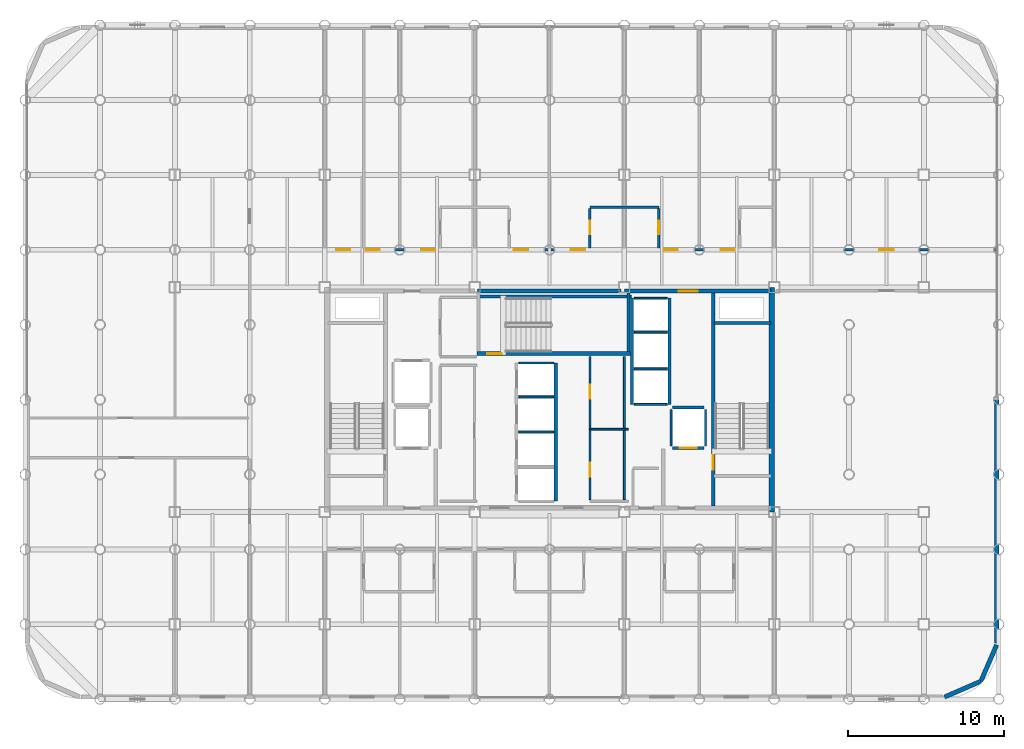
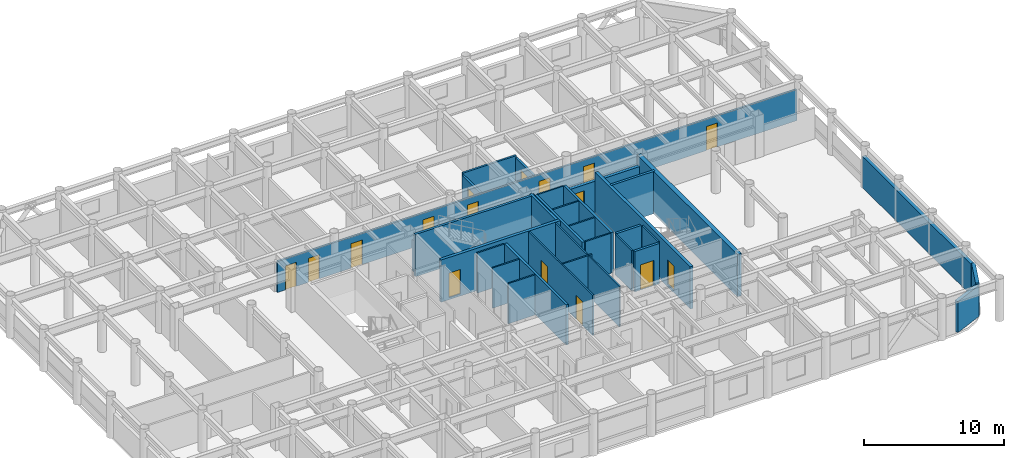
# One storey, part 18 of 20: 32 walls, 16 doors, 16 openings.
"""IFC4 building model written with IfcOpenShell, lengths in metres."""

from ifc_helpers import new_model, si_unit, direction, frame, frame_2d, origin, place, context, subcontext, project, spatial, rectangle, extrude, material, layer, layer_set, type_object, element, fill, save


model = new_model("IFC4")

# Units and contexts
model_context = context("Model", 3, precision=1e-05, world=origin(), true_north=direction((0.0, 1.0)))
body_context = subcontext(model_context, "Body", "Model", "MODEL_VIEW")
ifc_project = project(units=[si_unit("LENGTHUNIT", "METRE"), si_unit("AREAUNIT", "SQUARE_METRE"), si_unit("VOLUMEUNIT", "CUBIC_METRE"), si_unit("PLANEANGLEUNIT", "RADIAN"), si_unit("MASSUNIT", "GRAM", prefix="KILO")], contexts=[model_context])

# Site, building, storey
site_placement = place(None, origin())
site = spatial("IfcSite", under=ifc_project, at=site_placement, CompositionType="ELEMENT")
building_placement = place(site_placement, origin())
building = spatial("IfcBuilding", under=site, at=building_placement, Name="Kallvorn Hotel Tower", CompositionType="ELEMENT")
storey_placement = place(building_placement, frame((0.0, 0.0, 132.199951171875)))
storey = spatial("IfcBuildingStorey", under=building, at=storey_placement, Name="L32", CompositionType="ELEMENT", Elevation=132.199951171875)

# Wall
ifc_material_1 = material(Name="Concrete C50/60", Category="concrete")
ifc_layer_1 = layer(ifc_material_1, 0.35009765625)
ifc_layer_set_1 = layer_set([ifc_layer_1], Name="WL_CORE_350")
wall_type_1 = type_object("IfcWallType", Name="WL_CORE_350", PredefinedType="SHEAR", material=ifc_layer_set_1)
wall_1_placement = place(storey_placement, frame((14.239990234375, -7.199951171875, -0.179931640625), z_axis=(0.0, 0.0, 1.0), x_axis=(0.0, 1.0, 0.0)))
element("IfcWall", 1, at=wall_1_placement, inside=storey, type_object=wall_type_1, Name="L32 Core East Shear Wall", PredefinedType="SHEAR", context=body_context, shape_type="SweptSolid", body=[
    extrude(rectangle(XDim=14.39990234375, YDim=0.35009765625, at=frame_2d((7.199951171875, 0.0))), origin(), (0.0, 0.0, 1.0), 3.699951171875),
])

# Wall, openings, doors
ifc_material_2 = material(Name="Fire-rated double-layer acoustic gypsum drywall EI 60")
ifc_layer_2 = layer(ifc_material_2, 0.159912109375)
ifc_layer_set_2 = layer_set([ifc_layer_2], Name="WL_DEMISE_160")
wall_type_2 = type_object("IfcWallType", Name="WL_DEMISE_160", PredefinedType="PARTITIONING", material=ifc_layer_set_2)
wall_2_placement = place(storey_placement, frame((-14.320068359375, 9.60009765625, 0.0), z_axis=(0.0, 0.0, 1.0), x_axis=(1.0, 0.0, 0.0)))
wall_2 = element("IfcWall", 2, at=wall_2_placement, inside=storey, type_object=wall_type_2, Name="L32 Suite 3207 Standard Twin Room Partition", PredefinedType="PARTITIONING", context=body_context, shape_type="SweptSolid", body=[
    extrude(rectangle(XDim=42.949951171875, YDim=0.159912109375, at=frame_2d((21.47509765625, 0.0))), origin(), (0.0, 0.0, 1.0), 2.719970703125),
])
opening_1_placement = place(wall_2_placement, frame((35.469970703125, 0.0, 0.0)))
opening_1 = element("IfcOpeningElement", 3, at=opening_1_placement, cuts=wall_2, Name="Opening SVD1", PredefinedType="OPENING", context=body_context, shape_type="SweptSolid", body=[
    extrude(rectangle(XDim=0.89990234375, YDim=2.10009765625, at=frame_2d((0.449951171875, 1.050048828125))), frame((0.0, 0.094970703125, 0.0), z_axis=(0.0, -1.0, 0.0), x_axis=(1.0, 0.0, 0.0)), (0.0, 0.0, 1.0), 0.18994140625),
])
opening_2_placement = place(wall_2_placement, frame((0.669921875, 0.0, 0.0)))
opening_2 = element("IfcOpeningElement", 4, at=opening_2_placement, cuts=wall_2, Name="Opening SVD1", PredefinedType="OPENING", context=body_context, shape_type="SweptSolid", body=[
    extrude(rectangle(XDim=0.89990234375, YDim=2.10009765625, at=frame_2d((0.449951171875, 1.050048828125))), frame((0.0, 0.094970703125, 0.0), z_axis=(0.0, -1.0, 0.0), x_axis=(1.0, 0.0, 0.0)), (0.0, 0.0, 1.0), 0.18994140625),
])
opening_3_placement = place(wall_2_placement, frame((2.56005859375, 0.0, 0.0)))
opening_3 = element("IfcOpeningElement", 5, at=opening_3_placement, cuts=wall_2, Name="Opening SVD1", PredefinedType="OPENING", context=body_context, shape_type="SweptSolid", body=[
    extrude(rectangle(XDim=0.89990234375, YDim=2.10009765625, at=frame_2d((0.449951171875, 1.050048828125))), frame((0.0, 0.094970703125, 0.0), z_axis=(0.0, -1.0, 0.0), x_axis=(1.0, 0.0, 0.0)), (0.0, 0.0, 1.0), 0.18994140625),
])
opening_4_placement = place(wall_2_placement, frame((6.090087890625, 0.0, 0.0)))
opening_4 = element("IfcOpeningElement", 6, at=opening_4_placement, cuts=wall_2, Name="Opening GD1", PredefinedType="OPENING", context=body_context, shape_type="SweptSolid", body=[
    extrude(rectangle(XDim=0.919921875, YDim=2.14990234375, at=frame_2d((0.4599609375, 1.074951171875))), frame((0.0, 0.094970703125, 0.0), z_axis=(0.0, -1.0, 0.0), x_axis=(1.0, 0.0, 0.0)), (0.0, 0.0, 1.0), 0.18994140625),
])
opening_5_placement = place(wall_2_placement, frame((12.030029296875, 0.0, 0.0)))
opening_5 = element("IfcOpeningElement", 7, at=opening_5_placement, cuts=wall_2, Name="Opening GD1", PredefinedType="OPENING", context=body_context, shape_type="SweptSolid", body=[
    extrude(rectangle(XDim=0.919921875, YDim=2.14990234375, at=frame_2d((0.4599609375, 1.074951171875))), frame((0.0, 0.094970703125, 0.0), z_axis=(0.0, -1.0, 0.0), x_axis=(1.0, 0.0, 0.0)), (0.0, 0.0, 1.0), 0.18994140625),
])
opening_6_placement = place(wall_2_placement, frame((15.68994140625, 0.0, 0.0)))
opening_6 = element("IfcOpeningElement", 8, at=opening_6_placement, cuts=wall_2, Name="Opening GD1", PredefinedType="OPENING", context=body_context, shape_type="SweptSolid", body=[
    extrude(rectangle(XDim=0.919921875, YDim=2.14990234375, at=frame_2d((0.4599609375, 1.074951171875))), frame((0.0, 0.094970703125, 0.0), z_axis=(0.0, -1.0, 0.0), x_axis=(1.0, 0.0, 0.0)), (0.0, 0.0, 1.0), 0.18994140625),
])
opening_7_placement = place(wall_2_placement, frame((21.6298828125, 0.0, 0.0)))
opening_7 = element("IfcOpeningElement", 9, at=opening_7_placement, cuts=wall_2, Name="Opening GD1", PredefinedType="OPENING", context=body_context, shape_type="SweptSolid", body=[
    extrude(rectangle(XDim=0.919921875, YDim=2.14990234375, at=frame_2d((0.4599609375, 1.074951171875))), frame((0.0, 0.094970703125, 0.0), z_axis=(0.0, -1.0, 0.0), x_axis=(1.0, 0.0, 0.0)), (0.0, 0.0, 1.0), 0.18994140625),
])
opening_8_placement = place(wall_2_placement, frame((25.2900390625, 0.0, 0.0)))
opening_8 = element("IfcOpeningElement", 10, at=opening_8_placement, cuts=wall_2, Name="Opening GD1", PredefinedType="OPENING", context=body_context, shape_type="SweptSolid", body=[
    extrude(rectangle(XDim=0.919921875, YDim=2.14990234375, at=frame_2d((0.4599609375, 1.074951171875))), frame((0.0, 0.094970703125, 0.0), z_axis=(0.0, -1.0, 0.0), x_axis=(1.0, 0.0, 0.0)), (0.0, 0.0, 1.0), 0.18994140625),
])
ifc_material_3 = material(Name="Solid-core walnut veneer fire-rated timber door leaf", Category="wood")
door_type_1 = type_object("IfcDoorType", Name="DR_GUEST_920x2150", OperationType="NOTDEFINED", PredefinedType="DOOR", material=ifc_material_3)
door_1_placement = place(opening_4_placement, origin())
door_1 = element("IfcDoor", 11, at=door_1_placement, inside=storey, type_object=door_type_1, Name="L32 Suite 3207 Standard Twin Room Door", OperationType="SINGLE_SWING_RIGHT", OverallHeight=2.14990234375, OverallWidth=0.919921875, PredefinedType="DOOR", context=body_context, shape_type="SweptSolid", body=[
    extrude(rectangle(XDim=0.919921875, YDim=2.14990234375, at=frame_2d((0.4599609375, 1.074951171875))), frame((0.0, 0.02490234375, 0.0), z_axis=(0.0, -1.0, 0.0), x_axis=(1.0, 0.0, 0.0)), (0.0, 0.0, 1.0), 0.050048828125),
])
fill(opening_4, door_1)
door_2_placement = place(opening_5_placement, origin())
door_2 = element("IfcDoor", 12, at=door_2_placement, inside=storey, type_object=door_type_1, Name="L32 Suite 3208 Standard Twin Room Door", OperationType="SINGLE_SWING_LEFT", OverallHeight=2.14990234375, OverallWidth=0.919921875, PredefinedType="DOOR", context=body_context, shape_type="SweptSolid", body=[
    extrude(rectangle(XDim=0.919921875, YDim=2.14990234375, at=frame_2d((0.4599609375, 1.074951171875))), frame((0.0, 0.02490234375, 0.0), z_axis=(0.0, -1.0, 0.0), x_axis=(1.0, 0.0, 0.0)), (0.0, 0.0, 1.0), 0.050048828125),
])
fill(opening_5, door_2)
door_3_placement = place(opening_6_placement, origin())
door_3 = element("IfcDoor", 13, at=door_3_placement, inside=storey, type_object=door_type_1, Name="L32 Suite 3209 Standard Twin Room Door", OperationType="SINGLE_SWING_RIGHT", OverallHeight=2.14990234375, OverallWidth=0.919921875, PredefinedType="DOOR", context=body_context, shape_type="SweptSolid", body=[
    extrude(rectangle(XDim=0.919921875, YDim=2.14990234375, at=frame_2d((0.4599609375, 1.074951171875))), frame((0.0, 0.02490234375, 0.0), z_axis=(0.0, -1.0, 0.0), x_axis=(1.0, 0.0, 0.0)), (0.0, 0.0, 1.0), 0.050048828125),
])
fill(opening_6, door_3)
door_4_placement = place(opening_7_placement, origin())
door_4 = element("IfcDoor", 14, at=door_4_placement, inside=storey, type_object=door_type_1, Name="L32 Suite 3210 Standard Twin Room Door", OperationType="SINGLE_SWING_LEFT", OverallHeight=2.14990234375, OverallWidth=0.919921875, PredefinedType="DOOR", context=body_context, shape_type="SweptSolid", body=[
    extrude(rectangle(XDim=0.919921875, YDim=2.14990234375, at=frame_2d((0.4599609375, 1.074951171875))), frame((0.0, 0.02490234375, 0.0), z_axis=(0.0, -1.0, 0.0), x_axis=(1.0, 0.0, 0.0)), (0.0, 0.0, 1.0), 0.050048828125),
])
fill(opening_7, door_4)
door_5_placement = place(opening_8_placement, origin())
door_5 = element("IfcDoor", 15, at=door_5_placement, inside=storey, type_object=door_type_1, Name="L32 Suite 3211 Standard Twin Room Door", OperationType="SINGLE_SWING_RIGHT", OverallHeight=2.14990234375, OverallWidth=0.919921875, PredefinedType="DOOR", context=body_context, shape_type="SweptSolid", body=[
    extrude(rectangle(XDim=0.919921875, YDim=2.14990234375, at=frame_2d((0.4599609375, 1.074951171875))), frame((0.0, 0.02490234375, 0.0), z_axis=(0.0, -1.0, 0.0), x_axis=(1.0, 0.0, 0.0)), (0.0, 0.0, 1.0), 0.050048828125),
])
fill(opening_8, door_5)
ifc_material_4 = material(Name="Galvanised painted steel fire-rated door assembly", Category="steel")
door_type_2 = type_object("IfcDoorType", Name="DR_SERV_900x2100", OperationType="NOTDEFINED", PredefinedType="DOOR", material=ifc_material_4)
door_6_placement = place(opening_1_placement, origin())
door_6 = element("IfcDoor", 16, at=door_6_placement, inside=storey, type_object=door_type_2, Name="L32 L32 North-East Monserrate Banquet Hall Door", OperationType="SINGLE_SWING_RIGHT", OverallHeight=2.10009765625, OverallWidth=0.89990234375, PredefinedType="DOOR", context=body_context, shape_type="SweptSolid", body=[
    extrude(rectangle(XDim=0.89990234375, YDim=2.10009765625, at=frame_2d((0.449951171875, 1.050048828125))), frame((0.0, 0.02490234375, 0.0), z_axis=(0.0, -1.0, 0.0), x_axis=(1.0, 0.0, 0.0)), (0.0, 0.0, 1.0), 0.050048828125),
])
fill(opening_1, door_6)
door_7_placement = place(opening_2_placement, origin())
door_7 = element("IfcDoor", 17, at=door_7_placement, inside=storey, type_object=door_type_2, Name="L32 Housekeeping and Linen Room Door", OperationType="SINGLE_SWING_LEFT", OverallHeight=2.10009765625, OverallWidth=0.89990234375, PredefinedType="DOOR", context=body_context, shape_type="SweptSolid", body=[
    extrude(rectangle(XDim=0.89990234375, YDim=2.10009765625, at=frame_2d((0.449951171875, 1.050048828125))), frame((0.0, 0.02490234375, 0.0), z_axis=(0.0, -1.0, 0.0), x_axis=(1.0, 0.0, 0.0)), (0.0, 0.0, 1.0), 0.050048828125),
])
fill(opening_2, door_7)
door_8_placement = place(opening_3_placement, origin())
door_8 = element("IfcDoor", 18, at=door_8_placement, inside=storey, type_object=door_type_2, Name="L32 Guest Tea and Refreshment Bar Door", OperationType="SINGLE_SWING_RIGHT", OverallHeight=2.10009765625, OverallWidth=0.89990234375, PredefinedType="DOOR", context=body_context, shape_type="SweptSolid", body=[
    extrude(rectangle(XDim=0.89990234375, YDim=2.10009765625, at=frame_2d((0.449951171875, 1.050048828125))), frame((0.0, 0.02490234375, 0.0), z_axis=(0.0, -1.0, 0.0), x_axis=(1.0, 0.0, 0.0)), (0.0, 0.0, 1.0), 0.050048828125),
])
fill(opening_3, door_8)

# Wall
wall_3_placement = place(storey_placement, frame((2.590087890625, 12.320068359375, 0.0), z_axis=(0.0, 0.0, 1.0), x_axis=(1.0, 0.0, 0.0)))
element("IfcWall", 19, at=wall_3_placement, inside=storey, type_object=wall_type_2, Name="L32 Suite 3209 Standard Twin Room Partition", PredefinedType="PARTITIONING", context=body_context, shape_type="SweptSolid", body=[
    extrude(rectangle(XDim=4.419921875, YDim=0.159912109375, at=frame_2d((2.2099609375, 0.0))), origin(), (0.0, 0.0, 1.0), 2.8701171875),
])

# Wall, opening, door
wall_4_placement = place(storey_placement, frame((2.594970703125, 9.719970703125, 0.0), z_axis=(0.0, 0.0, 1.0), x_axis=(0.0, 1.0, 0.0)))
wall_4 = element("IfcWall", 20, at=wall_4_placement, inside=storey, type_object=wall_type_2, Name="L32 Suite 3209 Standard Twin Room Partition", PredefinedType="PARTITIONING", context=body_context, shape_type="SweptSolid", body=[
    extrude(rectangle(XDim=2.51513671875, YDim=0.159912109375, at=frame_2d((1.257568359375, 0.0))), origin(), (0.0, 0.0, 1.0), 2.719970703125),
])
opening_9_placement = place(wall_4_placement, frame((0.8701171875, 0.0, 0.0)))
opening_9 = element("IfcOpeningElement", 21, at=opening_9_placement, cuts=wall_4, Name="Opening BD-I", PredefinedType="OPENING", context=body_context, shape_type="SweptSolid", body=[
    extrude(rectangle(XDim=0.860107421875, YDim=2.10009765625, at=frame_2d((0.43017578125, 1.050048828125))), frame((0.0, 0.094970703125, 0.0), z_axis=(0.0, -1.0, 0.0), x_axis=(1.0, 0.0, 0.0)), (0.0, 0.0, 1.0), 0.18994140625),
])
ifc_material_5 = material(Name="Solid-core walnut veneer fire-rated timber door leaf", Category="wood")
door_type_3 = type_object("IfcDoorType", Name="DR_BATH_860x2100", OperationType="NOTDEFINED", PredefinedType="DOOR", material=ifc_material_5)
door_9_placement = place(opening_9_placement, origin())
door_9 = element("IfcDoor", 22, at=door_9_placement, inside=storey, type_object=door_type_3, Name="L32 Suite 3209 En-Suite Bathroom Door", OperationType="SINGLE_SWING_LEFT", OverallHeight=2.10009765625, OverallWidth=0.860107421875, PredefinedType="DOOR", context=body_context, shape_type="SweptSolid", body=[
    extrude(rectangle(XDim=0.860107421875, YDim=2.10009765625, at=frame_2d((0.43017578125, 1.050048828125))), frame((0.0, 0.02490234375, 0.0), z_axis=(0.0, -1.0, 0.0), x_axis=(1.0, 0.0, 0.0)), (0.0, 0.0, 1.0), 0.050048828125),
])
fill(opening_9, door_9)

wall_5_placement = place(storey_placement, frame((7.006591796875, 9.719970703125, 0.0), z_axis=(0.0, 0.0, 1.0), x_axis=(0.0, 1.0, 0.0)))
wall_5 = element("IfcWall", 23, at=wall_5_placement, inside=storey, type_object=wall_type_2, Name="L32 Suite 3210 Standard Twin Room Partition", PredefinedType="PARTITIONING", context=body_context, shape_type="SweptSolid", body=[
    extrude(rectangle(XDim=2.51513671875, YDim=0.159912109375, at=frame_2d((1.257568359375, 0.0))), origin(), (0.0, 0.0, 1.0), 2.719970703125),
])
opening_10_placement = place(wall_5_placement, frame((0.8701171875, 0.0, 0.0)))
opening_10 = element("IfcOpeningElement", 24, at=opening_10_placement, cuts=wall_5, Name="Opening BD-I", PredefinedType="OPENING", context=body_context, shape_type="SweptSolid", body=[
    extrude(rectangle(XDim=0.860107421875, YDim=2.10009765625, at=frame_2d((0.43017578125, 1.050048828125))), frame((0.0, 0.094970703125, 0.0), z_axis=(0.0, -1.0, 0.0), x_axis=(1.0, 0.0, 0.0)), (0.0, 0.0, 1.0), 0.18994140625),
])
door_10_placement = place(opening_10_placement, origin())
door_10 = element("IfcDoor", 25, at=door_10_placement, inside=storey, type_object=door_type_3, Name="L32 Suite 3210 En-Suite Bathroom Door", OperationType="SINGLE_SWING_LEFT", OverallHeight=2.10009765625, OverallWidth=0.860107421875, PredefinedType="DOOR", context=body_context, shape_type="SweptSolid", body=[
    extrude(rectangle(XDim=0.860107421875, YDim=2.10009765625, at=frame_2d((0.43017578125, 1.050048828125))), frame((0.0, 0.02490234375, 0.0), z_axis=(0.0, -1.0, 0.0), x_axis=(1.0, 0.0, 0.0)), (0.0, 0.0, 1.0), 0.050048828125),
])
fill(opening_10, door_10)

# Walls
ifc_material_6 = material(Name="Precast basalt-clad insulated concrete wall C40/50", Category="masonry")
ifc_layer_3 = layer(ifc_material_6, 0.280029296875)
ifc_layer_set_3 = layer_set([ifc_layer_3], Name="WL_EXT_LOGGIA_280")
wall_type_3 = type_object("IfcWallType", Name="WL_EXT_LOGGIA_280", PredefinedType="SOLIDWALL", material=ifc_layer_set_3)
wall_6_placement = place(storey_placement, frame((25.32080078125, -19.057861328125, 0.0), z_axis=(0.0, 0.0, 1.0), x_axis=(0.917060872934, 0.398747232384, 0.0)))
element("IfcWall", 26, at=wall_6_placement, inside=storey, type_object=wall_type_3, Name="L32 Rounded Corner Exterior Wall SE1", PredefinedType="SOLIDWALL", context=body_context, shape_type="SweptSolid", body=[
    extrude(rectangle(XDim=2.5361328125, YDim=0.280029296875, at=frame_2d((1.26806640625, 0.0))), origin(), (0.0, 0.0, 1.0), 2.719970703125),
])
wall_7_placement = place(storey_placement, frame((27.646484375, -18.046630859375, 0.0), z_axis=(0.0, 0.0, 1.0), x_axis=(0.398792985289, 0.917040977756, 0.0)))
element("IfcWall", 27, at=wall_7_placement, inside=storey, type_object=wall_type_3, Name="L32 Rounded Corner Exterior Wall SE2", PredefinedType="SOLIDWALL", context=body_context, shape_type="SweptSolid", body=[
    extrude(rectangle(XDim=2.536376953125, YDim=0.280029296875, at=frame_2d((1.26806640625, 0.0))), origin(), (0.0, 0.0, 1.0), 2.8701171875),
])
wall_8_placement = place(storey_placement, frame((28.659912109375, -15.60009765625, 0.0), z_axis=(0.0, 0.0, 1.0), x_axis=(0.0, 1.0, 0.0)))
element("IfcWall", 28, at=wall_8_placement, inside=storey, type_object=wall_type_3, Name="L32 Exterior Envelope Wall EW-L32-ES", PredefinedType="SOLIDWALL", context=body_context, shape_type="SweptSolid", body=[
    extrude(rectangle(XDim=15.580078125, YDim=0.280029296875, at=frame_2d((7.7900390625, 0.0))), origin(), (0.0, 0.0, 1.0), 2.719970703125),
])
ifc_material_7 = material(Name="Concrete C40/50", Category="concrete")
ifc_layer_4 = layer(ifc_material_7, 0.199951171875)
ifc_layer_set_4 = layer_set([ifc_layer_4], Name="WL_HOIST_200")
wall_type_4 = type_object("IfcWallType", Name="WL_HOIST_200", PredefinedType="SOLIDWALL", material=ifc_layer_set_4)
wall_9_placement = place(storey_placement, frame((10.550048828125, 4.89990234375, -0.179931640625), z_axis=(0.0, 0.0, 1.0), x_axis=(1.0, 0.0, 0.0)))
element("IfcWall", 29, at=wall_9_placement, inside=storey, type_object=wall_type_4, Name="L32 Stair ST2 North Wall", PredefinedType="SOLIDWALL", context=body_context, shape_type="SweptSolid", body=[
    extrude(rectangle(XDim=3.64990234375, YDim=0.199951171875, at=frame_2d((1.824951171875, 0.0))), origin(), (0.0, 0.0, 1.0), 3.699951171875),
])
wall_10_placement = place(storey_placement, frame((-4.64990234375, 6.610107421875, -0.179931640625), z_axis=(0.0, 0.0, 1.0), x_axis=(1.0, 0.0, 0.0)))
element("IfcWall", 30, at=wall_10_placement, inside=storey, type_object=wall_type_4, Name="L32 Stair ST3 Shaft North Wall", PredefinedType="SOLIDWALL", context=body_context, shape_type="SweptSolid", body=[
    extrude(rectangle(XDim=9.89990234375, YDim=0.199951171875, at=frame_2d((4.949951171875, 0.0))), origin(), (0.0, 0.0, 1.0), 3.699951171875),
])
wall_11_placement = place(storey_placement, frame((5.06005859375, 3.080078125, -0.179931640625), z_axis=(0.0, 0.0, 1.0), x_axis=(0.0, 1.0, 0.0)))
element("IfcWall", 31, at=wall_11_placement, inside=storey, type_object=wall_type_4, Name="L32 Stair ST3 East Wall", PredefinedType="SOLIDWALL", context=body_context, shape_type="SweptSolid", body=[
    extrude(rectangle(XDim=3.739990234375, YDim=0.199951171875, at=frame_2d((1.8701171875, 0.0))), origin(), (0.0, 0.0, 1.0), 3.699951171875),
])
wall_12_placement = place(storey_placement, frame((0.39990234375, -6.5, 0.0), z_axis=(0.0, 0.0, 1.0), x_axis=(0.0, 1.0, 0.0)))
element("IfcWall", 32, at=wall_12_placement, inside=storey, type_object=wall_type_4, Name="L32 Lift Bank B2 Rear Shaft Wall", PredefinedType="SOLIDWALL", context=body_context, shape_type="SweptSolid", body=[
    extrude(rectangle(XDim=8.85009765625, YDim=0.199951171875, at=frame_2d((4.425048828125, 0.0))), origin(), (0.0, 0.0, 1.0), 3.52001953125),
])
for number, where, z_axis, x_axis, name in (
    (33, (7.699951171875, -0.300048828125, 0.0), (0.0, 0.0, 1.0), (0.0, 1.0, 0.0), "L32 Lift Bank OBS Landing Wall"),
    (34, (5.300048828125, -0.300048828125, 0.0), (0.0, 0.0, 1.0), (0.0, 1.0, 0.0), "L32 Lift Bank OBS Rear Shaft Wall"),
):
    element("IfcWall", number, at=place(storey_placement, frame(where, z_axis=z_axis, x_axis=x_axis)), inside=storey, type_object=wall_type_4, Name=name, PredefinedType="SOLIDWALL", context=body_context, shape_type="SweptSolid", body=[
        extrude(rectangle(XDim=6.800048828125, YDim=0.199951171875, at=frame_2d((3.39990234375, 0.0))), origin(), (0.0, 0.0, 1.0), 3.52001953125),
    ])

# Wall, opening, door
wall_13_placement = place(storey_placement, frame((7.8798828125, -3.10009765625, 0.0), z_axis=(0.0, 0.0, 1.0), x_axis=(1.0, 0.0, 0.0)))
wall_13 = element("IfcWall", 35, at=wall_13_placement, inside=storey, type_object=wall_type_4, Name="L32 FL-2 Landing Wall", PredefinedType="SOLIDWALL", context=body_context, shape_type="SweptSolid", body=[
    extrude(rectangle(XDim=2.0400390625, YDim=0.199951171875, at=frame_2d((1.02001953125, 0.0))), origin(), (0.0, 0.0, 1.0), 3.52001953125),
])
opening_11_placement = place(wall_13_placement, frame((0.469970703125, 0.0, 0.0)))
opening_11 = element("IfcOpeningElement", 36, at=opening_11_placement, cuts=wall_13, Name="Opening LD-FL-2", PredefinedType="OPENING", context=body_context, shape_type="SweptSolid", body=[
    extrude(rectangle(XDim=1.10009765625, YDim=2.199951171875, at=frame_2d((0.550048828125, 1.10009765625))), frame((0.0, 0.114990234375, 0.0), z_axis=(0.0, -1.0, 0.0), x_axis=(1.0, 0.0, 0.0)), (0.0, 0.0, 1.0), 0.22998046875),
])
ifc_material_8 = material(Name="Brushed stainless-steel automatic sliding lift landing door", Category="steel")
door_type_4 = type_object("IfcDoorType", Name="LD_PASS_1100x2200", OperationType="SLIDING_TO_LEFT", PredefinedType="DOOR", material=ifc_material_8)
door_11_placement = place(opening_11_placement, origin())
door_11 = element("IfcDoor", 37, at=door_11_placement, inside=storey, type_object=door_type_4, Name="L32 Lift Landing Sliding Door LD-FL-2", OperationType="SLIDING_TO_LEFT", OverallHeight=2.199951171875, OverallWidth=1.10009765625, PredefinedType="DOOR", context=body_context, shape_type="SweptSolid", body=[
    extrude(rectangle(XDim=1.10009765625, YDim=2.199951171875, at=frame_2d((0.550048828125, 1.10009765625))), frame((0.0, 0.02490234375, 0.0), z_axis=(0.0, -1.0, 0.0), x_axis=(1.0, 0.0, 0.0)), (0.0, 0.0, 1.0), 0.050048828125),
])
fill(opening_11, door_11)

# Walls
wall_14_placement = place(storey_placement, frame((7.8798828125, -0.5, 0.0), z_axis=(0.0, 0.0, 1.0), x_axis=(1.0, 0.0, 0.0)))
element("IfcWall", 38, at=wall_14_placement, inside=storey, type_object=wall_type_4, Name="L32 FL-2 Rear Shaft Wall", PredefinedType="SOLIDWALL", context=body_context, shape_type="SweptSolid", body=[
    extrude(rectangle(XDim=2.0400390625, YDim=0.199951171875, at=frame_2d((1.02001953125, 0.0))), origin(), (0.0, 0.0, 1.0), 3.52001953125),
])
ifc_material_9 = material(Name="Fire-rated double-layer acoustic gypsum drywall EI 60")
ifc_layer_5 = layer(ifc_material_9, 0.1201171875)
ifc_layer_set_5 = layer_set([ifc_layer_5], Name="WL_INT_120")
wall_type_5 = type_object("IfcWallType", Name="WL_INT_120", PredefinedType="PARTITIONING", material=ifc_layer_set_5)
for number, where, z_axis, x_axis, name in (
    (39, (-1.9599609375, -2.074951171875, 0.0), (0.0, 0.0, 1.0), (1.0, 0.0, 0.0), "L32 PL-06 Hoistway Divider"),
    (40, (-1.9599609375, 0.175048828125, 0.0), (0.0, 0.0, 1.0), (1.0, 0.0, 0.0), "L32 PL-07 Hoistway Divider"),
    (41, (-1.9599609375, 2.35009765625, 0.0), (0.0, 0.0, 1.0), (1.0, 0.0, 0.0), "L32 PL-08 Hoistway Divider"),
):
    element("IfcWall", number, at=place(storey_placement, frame(where, z_axis=z_axis, x_axis=x_axis)), inside=storey, type_object=wall_type_5, Name=name, PredefinedType="PARTITIONING", context=body_context, shape_type="SweptSolid", body=[
        extrude(rectangle(XDim=2.219970703125, YDim=0.1201171875, at=frame_2d((1.10986328125, 0.0))), origin(), (0.0, 0.0, 1.0), 3.52001953125),
    ])
for number, where, z_axis, x_axis, name in (
    (42, (5.43994140625, -0.300048828125, 0.0), (0.0, 0.0, 1.0), (1.0, 0.0, 0.0), "L32 Lift Bank OBS South Closure Wall"),
    (43, (5.43994140625, 1.97509765625, 0.0), (0.0, 0.0, 1.0), (1.0, 0.0, 0.0), "L32 OB-01 Hoistway Divider"),
    (44, (5.43994140625, 4.324951171875, 0.0), (0.0, 0.0, 1.0), (1.0, 0.0, 0.0), "L32 OB-02 Hoistway Divider"),
    (45, (5.43994140625, 6.5, 0.0), (0.0, 0.0, 1.0), (1.0, 0.0, 0.0), "L32 OB-03 Hoistway Divider"),
):
    element("IfcWall", number, at=place(storey_placement, frame(where, z_axis=z_axis, x_axis=x_axis)), inside=storey, type_object=wall_type_5, Name=name, PredefinedType="PARTITIONING", context=body_context, shape_type="SweptSolid", body=[
        extrude(rectangle(XDim=2.1201171875, YDim=0.1201171875, at=frame_2d((1.06005859375, 0.0))), origin(), (0.0, 0.0, 1.0), 3.52001953125),
    ])
for number, where, z_axis, x_axis, name in (
    (46, (7.800048828125, -2.9599609375, 0.0), (0.0, 0.0, 1.0), (0.0, 1.0, 0.0), "L32 FL-2 West Shaft Wall"),
    (47, (10.0, -2.9599609375, 0.0), (0.0, 0.0, 1.0), (0.0, 1.0, 0.0), "L32 FL-2 East Shaft Wall"),
):
    element("IfcWall", number, at=place(storey_placement, frame(where, z_axis=z_axis, x_axis=x_axis)), inside=storey, type_object=wall_type_5, Name=name, PredefinedType="PARTITIONING", context=body_context, shape_type="SweptSolid", body=[
        extrude(rectangle(XDim=2.320068359375, YDim=0.1201171875, at=frame_2d((1.16015625, 0.0))), origin(), (0.0, 0.0, 1.0), 3.52001953125),
    ])
wall_15_placement = place(storey_placement, frame((2.60009765625, -1.89990234375, 0.0), z_axis=(0.0, 0.0, 1.0), x_axis=(1.0, 0.0, 0.0)))
element("IfcWall", 48, at=wall_15_placement, inside=storey, type_object=wall_type_5, Name="L32 East Core Amenities and Minibar Store Partition", PredefinedType="PARTITIONING", context=body_context, shape_type="SweptSolid", body=[
    extrude(rectangle(XDim=2.449951171875, YDim=0.1201171875, at=frame_2d((1.22509765625, 0.0))), origin(), (0.0, 0.0, 1.0), 3.52001953125),
])

# Wall, openings, doors
wall_16_placement = place(storey_placement, frame((2.594970703125, -6.4150390625, 0.0), z_axis=(0.0, 0.0, 1.0), x_axis=(0.0, 1.0, 0.0)))
wall_16 = element("IfcWall", 49, at=wall_16_placement, inside=storey, type_object=wall_type_5, Name="L32 East Core Amenities and Minibar Store Partition", PredefinedType="PARTITIONING", context=body_context, shape_type="SweptSolid", body=[
    extrude(rectangle(XDim=9.1650390625, YDim=0.1201171875, at=frame_2d((4.58251953125, 0.0))), origin(), (0.0, 0.0, 1.0), 3.52001953125),
])
opening_12_placement = place(wall_16_placement, frame((1.465087890625, 0.0, 0.0)))
opening_12 = element("IfcOpeningElement", 50, at=opening_12_placement, cuts=wall_16, Name="Opening SVD1", PredefinedType="OPENING", context=body_context, shape_type="SweptSolid", body=[
    extrude(rectangle(XDim=0.89990234375, YDim=2.10009765625, at=frame_2d((0.449951171875, 1.050048828125))), frame((0.0, 0.074951171875, 0.0), z_axis=(0.0, -1.0, 0.0), x_axis=(1.0, 0.0, 0.0)), (0.0, 0.0, 1.0), 0.150146484375),
])
opening_13_placement = place(wall_16_placement, frame((6.465087890625, 0.0, 0.0)))
opening_13 = element("IfcOpeningElement", 51, at=opening_13_placement, cuts=wall_16, Name="Opening SVD1", PredefinedType="OPENING", context=body_context, shape_type="SweptSolid", body=[
    extrude(rectangle(XDim=0.89990234375, YDim=2.10009765625, at=frame_2d((0.449951171875, 1.050048828125))), frame((0.0, 0.074951171875, 0.0), z_axis=(0.0, -1.0, 0.0), x_axis=(1.0, 0.0, 0.0)), (0.0, 0.0, 1.0), 0.150146484375),
])
door_12_placement = place(opening_12_placement, origin())
door_12 = element("IfcDoor", 52, at=door_12_placement, inside=storey, type_object=door_type_2, Name="L32 East Core Amenities and Minibar Store Door", OperationType="SINGLE_SWING_RIGHT", OverallHeight=2.10009765625, OverallWidth=0.89990234375, PredefinedType="DOOR", context=body_context, shape_type="SweptSolid", body=[
    extrude(rectangle(XDim=0.89990234375, YDim=2.10009765625, at=frame_2d((0.449951171875, 1.050048828125))), frame((0.0, 0.02490234375, 0.0), z_axis=(0.0, -1.0, 0.0), x_axis=(1.0, 0.0, 0.0)), (0.0, 0.0, 1.0), 0.050048828125),
])
fill(opening_12, door_12)
door_13_placement = place(opening_13_placement, origin())
door_13 = element("IfcDoor", 53, at=door_13_placement, inside=storey, type_object=door_type_2, Name="L32 East Core Cleaners and Janitor Room Door", OperationType="SINGLE_SWING_RIGHT", OverallHeight=2.10009765625, OverallWidth=0.89990234375, PredefinedType="DOOR", context=body_context, shape_type="SweptSolid", body=[
    extrude(rectangle(XDim=0.89990234375, YDim=2.10009765625, at=frame_2d((0.449951171875, 1.050048828125))), frame((0.0, 0.02490234375, 0.0), z_axis=(0.0, -1.0, 0.0), x_axis=(1.0, 0.0, 0.0)), (0.0, 0.0, 1.0), 0.050048828125),
])
fill(opening_13, door_13)

# Walls
wall_17_placement = place(storey_placement, frame((4.800048828125, -6.4150390625, 0.0), z_axis=(0.0, 0.0, 1.0), x_axis=(0.0, 1.0, 0.0)))
element("IfcWall", 54, at=wall_17_placement, inside=storey, type_object=wall_type_5, Name="L32 East Core Amenities and Minibar Store Partition", PredefinedType="PARTITIONING", context=body_context, shape_type="SweptSolid", body=[
    extrude(rectangle(XDim=9.1650390625, YDim=0.1201171875, at=frame_2d((4.58251953125, 0.0))), origin(), (0.0, 0.0, 1.0), 3.52001953125),
])
ifc_material_10 = material(Name="Concrete C40/50", Category="concrete")
ifc_layer_6 = layer(ifc_material_10, 0.25)
ifc_layer_set_6 = layer_set([ifc_layer_6], Name="WL_SHAFT_250")
wall_type_6 = type_object("IfcWallType", Name="WL_SHAFT_250", PredefinedType="SOLIDWALL", material=ifc_layer_set_6)
wall_18_placement = place(storey_placement, frame((-4.60009765625, 6.949951171875, 0.0), z_axis=(0.0, 0.0, 1.0), x_axis=(1.0, 0.0, 0.0)))
element("IfcWall", 55, at=wall_18_placement, inside=storey, type_object=wall_type_6, Name="L32 Core North-Central Wall", PredefinedType="SOLIDWALL", context=body_context, shape_type="SweptSolid", body=[
    extrude(rectangle(XDim=9.2001953125, YDim=0.25, at=frame_2d((4.60009765625, 0.0))), origin(), (0.0, 0.0, 1.0), 2.719970703125),
])

# Wall, opening, door
wall_19_placement = place(storey_placement, frame((4.800048828125, 6.949951171875, 0.0), z_axis=(0.0, 0.0, 1.0), x_axis=(1.0, 0.0, 0.0)))
wall_19 = element("IfcWall", 56, at=wall_19_placement, inside=storey, type_object=wall_type_6, Name="L32 Core North-East Wall", PredefinedType="SOLIDWALL", context=body_context, shape_type="SweptSolid", body=[
    extrude(rectangle(XDim=9.39990234375, YDim=0.25, at=frame_2d((4.699951171875, 0.0))), origin(), (0.0, 0.0, 1.0), 2.719970703125),
])
opening_14_placement = place(wall_19_placement, frame((3.5, 0.0, 0.0)))
opening_14 = element("IfcOpeningElement", 57, at=opening_14_placement, cuts=wall_19, Name="Opening FD2", PredefinedType="OPENING", context=body_context, shape_type="SweptSolid", body=[
    extrude(rectangle(XDim=1.199951171875, YDim=2.199951171875, at=frame_2d((0.60009765625, 1.10009765625))), frame((0.0, 0.139892578125, 0.0), z_axis=(0.0, -1.0, 0.0), x_axis=(1.0, 0.0, 0.0)), (0.0, 0.0, 1.0), 0.280029296875),
])
ifc_material_11 = material(Name="Galvanised painted steel fire-rated door assembly", Category="steel")
door_type_5 = type_object("IfcDoorType", Name="DR_LOBBY_1200x2200", OperationType="DOUBLE_DOOR_SINGLE_SWING", PredefinedType="DOOR", material=ifc_material_11)
door_14_placement = place(opening_14_placement, origin())
door_14 = element("IfcDoor", 58, at=door_14_placement, inside=storey, type_object=door_type_5, Name="L32 Observatory Shuttle Lobby Door", OperationType="DOUBLE_DOOR_SINGLE_SWING", OverallHeight=2.199951171875, OverallWidth=1.199951171875, PredefinedType="DOOR", context=body_context, shape_type="SweptSolid", body=[
    extrude(rectangle(XDim=1.199951171875, YDim=2.199951171875, at=frame_2d((0.60009765625, 1.10009765625))), frame((0.0, 0.02490234375, 0.0), z_axis=(0.0, -1.0, 0.0), x_axis=(1.0, 0.0, 0.0)), (0.0, 0.0, 1.0), 0.050048828125),
])
fill(opening_14, door_14)

wall_20_placement = place(storey_placement, frame((10.5, -6.820068359375, -0.179931640625), z_axis=(0.0, 0.0, 1.0), x_axis=(0.0, 1.0, 0.0)))
wall_20 = element("IfcWall", 59, at=wall_20_placement, inside=storey, type_object=wall_type_6, Name="L32 Stair ST2 Shaft Wall", PredefinedType="SOLIDWALL", context=body_context, shape_type="SweptSolid", body=[
    extrude(rectangle(XDim=13.64013671875, YDim=0.25, at=frame_2d((6.820068359375, 0.0))), origin(), (0.0, 0.0, 1.0), 3.699951171875),
])
opening_15_placement = place(wall_20_placement, frame((2.320068359375, 0.0, 0.179931640625)))
opening_15 = element("IfcOpeningElement", 60, at=opening_15_placement, cuts=wall_20, Name="Opening SD1", PredefinedType="OPENING", context=body_context, shape_type="SweptSolid", body=[
    extrude(rectangle(XDim=0.949951171875, YDim=2.14990234375, at=frame_2d((0.47509765625, 1.074951171875))), frame((0.0, 0.139892578125, 0.0), z_axis=(0.0, -1.0, 0.0), x_axis=(1.0, 0.0, 0.0)), (0.0, 0.0, 1.0), 0.280029296875),
])
ifc_material_12 = material(Name="Galvanised painted steel fire-rated door assembly", Category="steel")
door_type_6 = type_object("IfcDoorType", Name="DR_STAIR_950x2150", OperationType="NOTDEFINED", PredefinedType="DOOR", material=ifc_material_12)
door_15_placement = place(opening_15_placement, origin())
door_15 = element("IfcDoor", 61, at=door_15_placement, inside=storey, type_object=door_type_6, Name="L32 Exit Stair ST2 Fire Door", OperationType="SINGLE_SWING_RIGHT", OverallHeight=2.14990234375, OverallWidth=0.949951171875, PredefinedType="DOOR", context=body_context, shape_type="SweptSolid", body=[
    extrude(rectangle(XDim=0.949951171875, YDim=2.14990234375, at=frame_2d((0.47509765625, 1.074951171875))), frame((0.0, 0.02490234375, 0.0), z_axis=(0.0, -1.0, 0.0), x_axis=(1.0, 0.0, 0.0)), (0.0, 0.0, 1.0), 0.050048828125),
])
fill(opening_15, door_15)

wall_21_placement = place(storey_placement, frame((-4.64990234375, 2.949951171875, -0.179931640625), z_axis=(0.0, 0.0, 1.0), x_axis=(1.0, 0.0, 0.0)))
wall_21 = element("IfcWall", 62, at=wall_21_placement, inside=storey, type_object=wall_type_6, Name="L32 Stair ST3 Shaft South Wall", PredefinedType="SOLIDWALL", context=body_context, shape_type="SweptSolid", body=[
    extrude(rectangle(XDim=9.89990234375, YDim=0.25, at=frame_2d((4.949951171875, 0.0))), origin(), (0.0, 0.0, 1.0), 3.699951171875),
])
opening_16_placement = place(wall_21_placement, frame((0.64990234375, 0.0, 0.179931640625)))
opening_16 = element("IfcOpeningElement", 63, at=opening_16_placement, cuts=wall_21, Name="Opening SD1", PredefinedType="OPENING", context=body_context, shape_type="SweptSolid", body=[
    extrude(rectangle(XDim=0.949951171875, YDim=2.14990234375, at=frame_2d((0.47509765625, 1.074951171875))), frame((0.0, 0.139892578125, 0.0), z_axis=(0.0, -1.0, 0.0), x_axis=(1.0, 0.0, 0.0)), (0.0, 0.0, 1.0), 0.280029296875),
])
door_16_placement = place(opening_16_placement, origin())
door_16 = element("IfcDoor", 64, at=door_16_placement, inside=storey, type_object=door_type_6, Name="L32 Exit Stair ST3 Fire Door", OperationType="SINGLE_SWING_RIGHT", OverallHeight=2.14990234375, OverallWidth=0.949951171875, PredefinedType="DOOR", context=body_context, shape_type="SweptSolid", body=[
    extrude(rectangle(XDim=0.949951171875, YDim=2.14990234375, at=frame_2d((0.47509765625, 1.074951171875))), frame((0.0, 0.02490234375, 0.0), z_axis=(0.0, -1.0, 0.0), x_axis=(1.0, 0.0, 0.0)), (0.0, 0.0, 1.0), 0.050048828125),
])
fill(opening_16, door_16)

save(model, "model.ifc")
